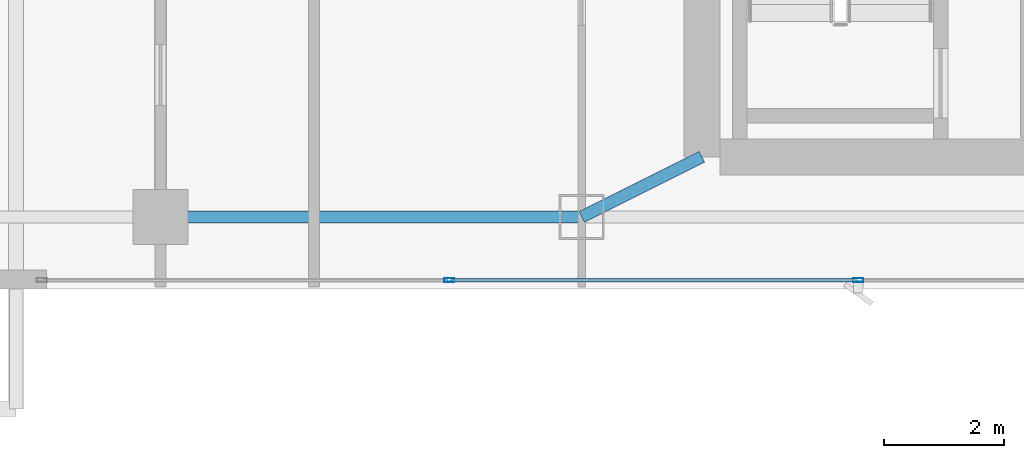
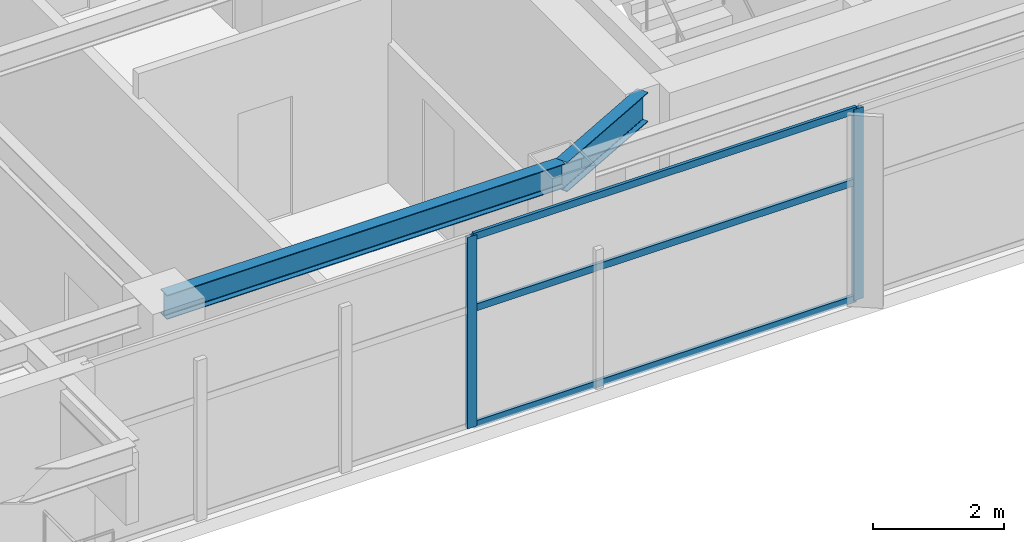
# One storey, part 7 of 27: 5 members, 2 beams, 1 element without a shape of its own.
"""IFC4 building model written with IfcOpenShell, lengths in metres."""

from ifc_helpers import new_model, si_unit, direction, frame, origin, origin_2d, place, context, subcontext, project, spatial, hollow_rectangle, i_section, extrude, material, layer, layer_set, material_profile, profile_set, type_object, element, aggregate, save


model = new_model("IFC4")

# Units and contexts
model_context = context("Model", 3, precision=1e-05, world=origin(), true_north=direction((0.0, 1.0)))
body_context = subcontext(model_context, "Body", "Model", "MODEL_VIEW")
ifc_project = project(units=[si_unit("LENGTHUNIT", "METRE"), si_unit("AREAUNIT", "SQUARE_METRE"), si_unit("VOLUMEUNIT", "CUBIC_METRE"), si_unit("PLANEANGLEUNIT", "RADIAN"), si_unit("MASSUNIT", "GRAM", prefix="KILO")], contexts=[model_context])

# Site, building, storey
site_placement = place(None, origin())
site = spatial("IfcSite", under=ifc_project, at=site_placement, CompositionType="ELEMENT")
building_placement = place(site_placement, origin())
building = spatial("IfcBuilding", under=site, at=building_placement, Name="Calvorn Quay Hotel", CompositionType="ELEMENT")
storey_placement = place(building_placement, frame((0.0, 0.0, 291.10009765625)))
storey = spatial("IfcBuildingStorey", under=building, at=storey_placement, Name="L72", CompositionType="ELEMENT", Elevation=291.10009765625)

# Beams
ifc_material_1 = material(Name="Steel Q355B", Category="steel")
ifc_material_profile_1 = material_profile(ifc_material_1, i_section(OverallWidth=0.199951171875, OverallDepth=0.550048828125, WebThickness=0.010009765625, FlangeThickness=0.01611328125, FilletRadius=0.01806640625, at=origin_2d()), Name="HN550x200x10x16")
ifc_profile_set_1 = profile_set([ifc_material_profile_1], Name="Steel Q355B")
beam_type_1 = type_object("IfcBeamType", Name="BM-GIRD-UPP", PredefinedType="BEAM", material=ifc_profile_set_1)
beam_1_placement = place(storey_placement, frame((19.60009765625, 3.60009765625, 3.264892578125), z_axis=(0.894427191, 0.4472135955, 0.0), x_axis=(-0.4472135955, 0.894427191, 0.0)))
element("IfcBeam", 1, at=beam_1_placement, inside=storey, type_object=beam_type_1, Name="Beam BG-L72-S2", PredefinedType="BEAM", context=body_context, shape_type="SweptSolid", body=[
    extrude(i_section(OverallWidth=0.199951171875, OverallDepth=0.550048828125, WebThickness=0.010009765625, FlangeThickness=0.01611328125, FilletRadius=0.01806640625, at=origin_2d()), origin(), (0.0, 0.0, 1.0), 2.236083984375),
])
ifc_material_2 = material(Name="Steel Q355B", Category="steel")
ifc_material_profile_2 = material_profile(ifc_material_2, i_section(OverallWidth=0.199951171875, OverallDepth=0.449951171875, WebThickness=0.009033203125, FlangeThickness=0.013916015625, FilletRadius=0.01611328125, at=origin_2d()), Name="HN450x200x9x14")
ifc_profile_set_2 = profile_set([ifc_material_profile_2], Name="Steel Q355B")
beam_type_2 = type_object("IfcBeamType", Name="BM-SPANDREL-Z3", PredefinedType="SPANDREL", material=ifc_profile_set_2)
beam_2_placement = place(storey_placement, frame((12.60009765625, 3.60009765625, 3.31494140625), z_axis=(1.0, 0.0, 0.0), x_axis=(0.0, 1.0, 0.0)))
element("IfcBeam", 2, at=beam_2_placement, inside=storey, type_object=beam_type_2, Name="Beam BSP-L72-S2", PredefinedType="SPANDREL", context=body_context, shape_type="SweptSolid", body=[
    extrude(i_section(OverallWidth=0.199951171875, OverallDepth=0.449951171875, WebThickness=0.009033203125, FlangeThickness=0.013916015625, FilletRadius=0.01611328125, at=origin_2d()), origin(), (0.0, 0.0, 1.0), 7.0),
])

# Curtain wall, members
ifc_material_3 = material(Name="Champagne Bronze Anodised Aluminium and Low-E Glass", Category="aluminium")
ifc_layer = layer(ifc_material_3, 0.219970703125)
ifc_layer_set = layer_set([ifc_layer], Name="CW-SYS-Z4")
curtain_wall_type = type_object("IfcCurtainWallType", Name="CW-SYS-Z4", PredefinedType="NOTDEFINED", material=ifc_layer_set)
curtain_wall_placement = place(storey_placement, origin())
curtain_wall = element("IfcCurtainWall", 3, at=curtain_wall_placement, inside=storey, type_object=curtain_wall_type, Name="Tower South Waterfront Curtain Wall (L72)", PredefinedType="NOTDEFINED")
ifc_material_4 = material(Name="Champagne Bronze Anodised Aluminium 6063-T6", Category="aluminium")
ifc_material_profile_3 = material_profile(ifc_material_4, hollow_rectangle(XDim=0.06494140625, YDim=0.169921875, WallThickness=0.00341796875, at=origin_2d()), Name="ALU-M170x65x3.5")
ifc_profile_set_3 = profile_set([ifc_material_profile_3], Name="Champagne Bronze Anodised Aluminium 6063-T6")
member_type_1 = type_object("IfcMemberType", Name="CW-SYS-Z4-MUL", PredefinedType="MULLION", material=ifc_profile_set_3)
member_1_placement = place(storey_placement, frame((17.39990234375, 2.550048828125, 0.0), z_axis=(0.0, 0.0, 1.0), x_axis=(0.0, 1.0, 0.0)))
member_1 = element("IfcMember", 4, at=member_1_placement, type_object=member_type_1, Name="CW-L72-S mullion 2", PredefinedType="MULLION", context=body_context, shape_type="SweptSolid", body=[
    extrude(hollow_rectangle(XDim=0.06494140625, YDim=0.169921875, WallThickness=0.00341796875, at=origin_2d()), origin(), (0.0, 0.0, 1.0), 3.559814453125),
])
member_2_placement = place(storey_placement, frame((24.199951171875, 2.550048828125, 0.0), z_axis=(0.0, 0.0, 1.0), x_axis=(0.0, 1.0, 0.0)))
member_2 = element("IfcMember", 5, at=member_2_placement, type_object=member_type_1, Name="CW-L72-S mullion 3", PredefinedType="MULLION", context=body_context, shape_type="SweptSolid", body=[
    extrude(hollow_rectangle(XDim=0.06494140625, YDim=0.169921875, WallThickness=0.00341796875, at=origin_2d()), origin(), (0.0, 0.0, 1.0), 3.559814453125),
])
ifc_material_5 = material(Name="Champagne Bronze Anodised Aluminium 6063-T6", Category="aluminium")
ifc_material_profile_4 = material_profile(ifc_material_5, hollow_rectangle(XDim=0.054931640625, YDim=0.1298828125, WallThickness=0.003173828125, at=origin_2d()), Name="ALU-T130x55x3.2")
ifc_profile_set_4 = profile_set([ifc_material_profile_4], Name="Champagne Bronze Anodised Aluminium 6063-T6")
member_type_2 = type_object("IfcMemberType", Name="CW-SYS-Z4-TRN", PredefinedType="USERDEFINED", material=ifc_profile_set_4)
member_3_placement = place(storey_placement, frame((17.429931640625, 2.550048828125, 0.02978515625), z_axis=(1.0, 0.0, 0.0), x_axis=(0.0, 1.0, 0.0)))
member_3 = element("IfcMember", 6, at=member_3_placement, type_object=member_type_2, Name="CW-L72-S transom 2.1", ObjectType="TRANSOM", PredefinedType="USERDEFINED", context=body_context, shape_type="SweptSolid", body=[
    extrude(hollow_rectangle(XDim=0.054931640625, YDim=0.1298828125, WallThickness=0.003173828125, at=origin_2d()), origin(), (0.0, 0.0, 1.0), 6.739990234375),
])
member_4_placement = place(storey_placement, frame((17.429931640625, 2.550048828125, 2.199951171875), z_axis=(1.0, 0.0, 0.0), x_axis=(0.0, 1.0, 0.0)))
member_4 = element("IfcMember", 7, at=member_4_placement, type_object=member_type_2, Name="CW-L72-S transom 2.2", ObjectType="TRANSOM", PredefinedType="USERDEFINED", context=body_context, shape_type="SweptSolid", body=[
    extrude(hollow_rectangle(XDim=0.054931640625, YDim=0.1298828125, WallThickness=0.003173828125, at=origin_2d()), origin(), (0.0, 0.0, 1.0), 6.739990234375),
])
member_5_placement = place(storey_placement, frame((17.429931640625, 2.550048828125, 3.52978515625), z_axis=(1.0, 0.0, 0.0), x_axis=(0.0, 1.0, 0.0)))
member_5 = element("IfcMember", 8, at=member_5_placement, type_object=member_type_2, Name="CW-L72-S transom 2.3", ObjectType="TRANSOM", PredefinedType="USERDEFINED", context=body_context, shape_type="SweptSolid", body=[
    extrude(hollow_rectangle(XDim=0.054931640625, YDim=0.1298828125, WallThickness=0.003173828125, at=origin_2d()), origin(), (0.0, 0.0, 1.0), 6.739990234375),
])
aggregate(curtain_wall, [member_1, member_2, member_3, member_4, member_5])

save(model, "model.ifc")
